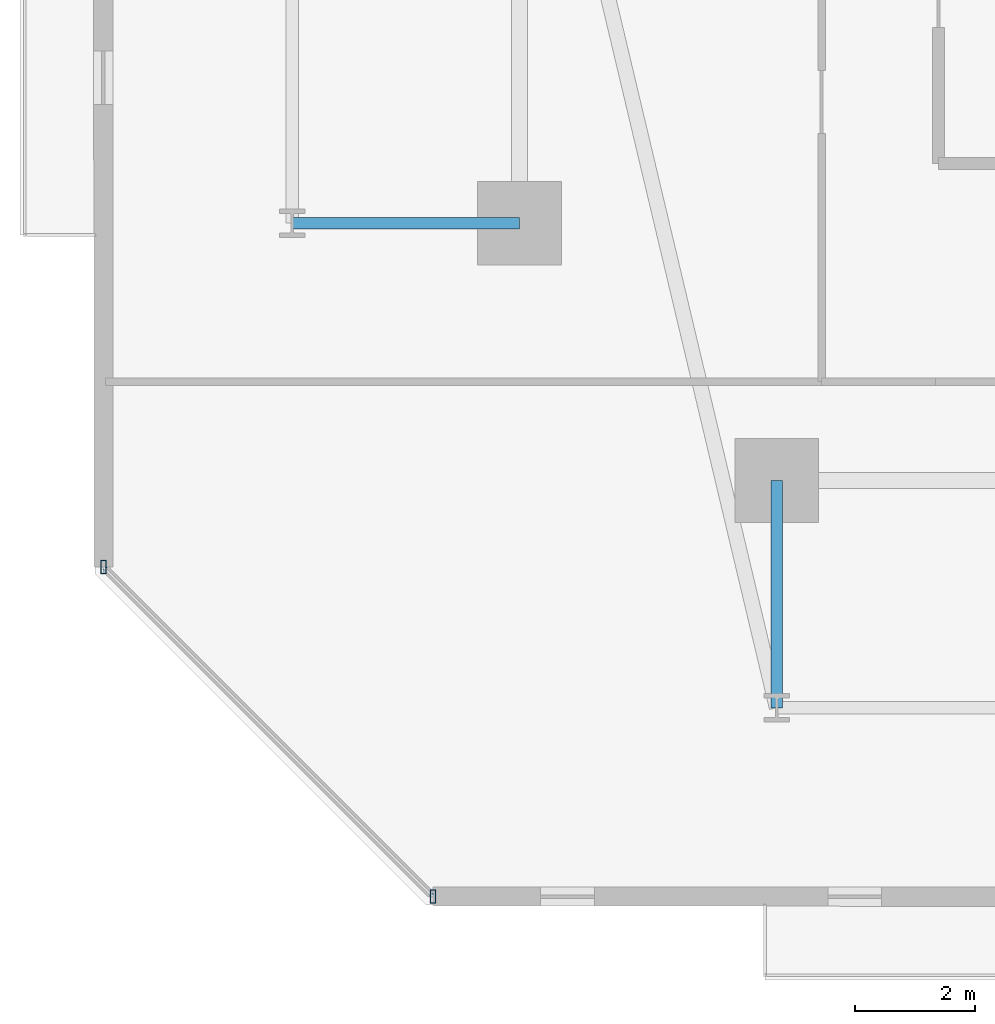
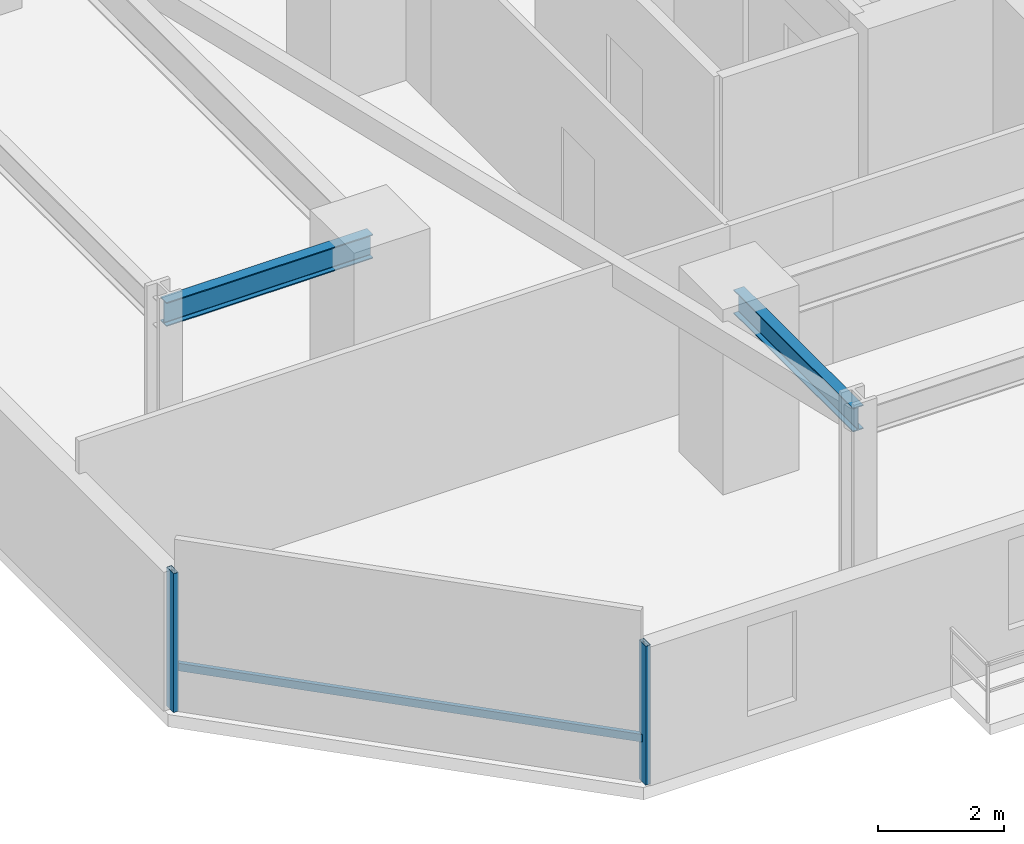
# One storey, part 3 of 33: 3 members, 2 beams, 1 element without a shape of its own.
"""IFC4 building model written with IfcOpenShell, lengths in metres."""

from ifc_helpers import new_model, si_unit, direction, frame, origin, origin_2d, place, context, subcontext, project, spatial, hollow_rectangle, i_section, extrude, material, material_profile, profile_set, type_object, element, aggregate, save


model = new_model("IFC4")

# Units and contexts
model_context = context("Model", 3, precision=1e-05, world=origin(), true_north=direction((0.0, 1.0)))
body_context = subcontext(model_context, "Body", "Model", "MODEL_VIEW")
ifc_project = project(units=[si_unit("LENGTHUNIT", "METRE"), si_unit("AREAUNIT", "SQUARE_METRE"), si_unit("VOLUMEUNIT", "CUBIC_METRE"), si_unit("PLANEANGLEUNIT", "RADIAN"), si_unit("MASSUNIT", "GRAM", prefix="KILO")], contexts=[model_context])

# Site, building, storey
site_placement = place(None, origin())
site = spatial("IfcSite", under=ifc_project, at=site_placement, CompositionType="ELEMENT")
building_placement = place(site_placement, origin())
building = spatial("IfcBuilding", under=site, at=building_placement, Name="Thornwick Lancets Civic Towers", CompositionType="ELEMENT")
storey_placement = place(building_placement, frame((0.0, 0.0, 35.10009765625)))
storey = spatial("IfcBuildingStorey", under=building, at=storey_placement, Name="L08", CompositionType="ELEMENT", Elevation=35.10009765625)

# Beams
ifc_material_1 = material(Name="Steel S355JR", Category="steel")
ifc_material_profile_1 = material_profile(ifc_material_1, i_section(OverallWidth=0.19287109375, OverallDepth=0.46728515625, WebThickness=0.011474609375, FlangeThickness=0.01953125, FilletRadius=0.01025390625, at=origin_2d()), Name="UKB 457x191x98")
ifc_profile_set_1 = profile_set([ifc_material_profile_1], Name="Steel S355JR")
beam_type = type_object("IfcBeamType", Name="BM_JOIST_457_98", PredefinedType="JOIST", material=ifc_profile_set_1)
for number, where, z_axis, x_axis, name in (
    (1, (12.5, 9.699951171875, 3.126220703125), (0.0, -1.0, 0.0), (1.0, 0.0, 0.0), "BM-RAD-L08-A01"),
    (2, (8.199951171875, 14.0, 3.126220703125), (-1.0, 0.0, 0.0), (0.0, -1.0, 0.0), "BM-RAD-L08-A10"),
):
    element("IfcBeam", number, at=place(storey_placement, frame(where, z_axis=z_axis, x_axis=x_axis)), inside=storey, type_object=beam_type, Name=name, PredefinedType="JOIST", context=body_context, shape_type="SweptSolid", body=[
        extrude(i_section(OverallWidth=0.19287109375, OverallDepth=0.46728515625, WebThickness=0.011474609375, FlangeThickness=0.01953125, FilletRadius=0.01025390625, at=origin_2d()), origin(), (0.0, 0.0, 1.0), 3.800048828125),
    ])

# Curtain wall, members
ifc_material_2 = material(Name="Low-zone chamfered-corner unitised glass curtain wall", Category="glass")
curtain_wall_type = type_object("IfcCurtainWallType", Name="CW_SYS_03", PredefinedType="NOTDEFINED", material=ifc_material_2)
curtain_wall_placement = place(storey_placement, origin())
curtain_wall = element("IfcCurtainWall", 3, at=curtain_wall_placement, inside=storey, type_object=curtain_wall_type, Name="L08 Curtain Wall CW-L08-A-E7", PredefinedType="NOTDEFINED")
ifc_material_3 = material(Name="Thermally broken bronze aluminium S355", Category="steel")
ifc_material_profile_2 = material_profile(ifc_material_3, hollow_rectangle(XDim=0.090087890625, YDim=0.219970703125, WallThickness=0.00634765625, at=origin_2d()), Name="RHS 220x90x6.3")
ifc_profile_set_2 = profile_set([ifc_material_profile_2], Name="Thermally broken bronze aluminium S355")
member_type_1 = type_object("IfcMemberType", Name="CW_MUL_220", PredefinedType="MULLION", material=ifc_profile_set_2)
member_1_placement = place(storey_placement, frame((1.24462890625, 8.252197265625, 0.0), z_axis=(0.0, 0.0, 1.0), x_axis=(1.0, 0.0, 0.0)))
member_1 = element("IfcMember", 4, at=member_1_placement, type_object=member_type_1, Name="CW-L08-A-E7 Mullion 0", PredefinedType="MULLION", context=body_context, shape_type="SweptSolid", body=[
    extrude(hollow_rectangle(XDim=0.090087890625, YDim=0.219970703125, WallThickness=0.00634765625, at=origin_2d()), origin(), (0.0, 0.0, 1.0), 2.699951171875),
])
member_2_placement = place(storey_placement, frame((6.752197265625, 2.74462890625, 0.0), z_axis=(0.0, 0.0, 1.0), x_axis=(1.0, 0.0, 0.0)))
member_2 = element("IfcMember", 5, at=member_2_placement, type_object=member_type_1, Name="CW-L08-A-E7 Mullion 1", PredefinedType="MULLION", context=body_context, shape_type="SweptSolid", body=[
    extrude(hollow_rectangle(XDim=0.090087890625, YDim=0.219970703125, WallThickness=0.00634765625, at=origin_2d()), origin(), (0.0, 0.0, 1.0), 2.699951171875),
])
ifc_material_profile_3 = material_profile(ifc_material_3, hollow_rectangle(XDim=0.074951171875, YDim=0.14990234375, WallThickness=0.0048828125, at=origin_2d()), Name="RHS 150x75x5")
ifc_profile_set_3 = profile_set([ifc_material_profile_3], Name="Thermally broken bronze aluminium S355")
member_type_2 = type_object("IfcMemberType", Name="CW_TRN_150", PredefinedType="USERDEFINED", material=ifc_profile_set_3)
member_3_placement = place(storey_placement, frame((1.2587890625, 8.238037109375, 0.849853515625), z_axis=(0.707106781187, -0.707106781187, 0.0), x_axis=(0.707106781187, 0.707106781187, 0.0)))
member_3 = element("IfcMember", 6, at=member_3_placement, type_object=member_type_2, Name="CW-L08-A-E7 Transom 0", ObjectType="TRANSOM", PredefinedType="USERDEFINED", context=body_context, shape_type="SweptSolid", body=[
    extrude(hollow_rectangle(XDim=0.074951171875, YDim=0.14990234375, WallThickness=0.0048828125, at=origin_2d()), origin(), (0.0, 0.0, 1.0), 7.748779296875),
])
aggregate(curtain_wall, [member_1, member_2, member_3])

save(model, "model.ifc")
